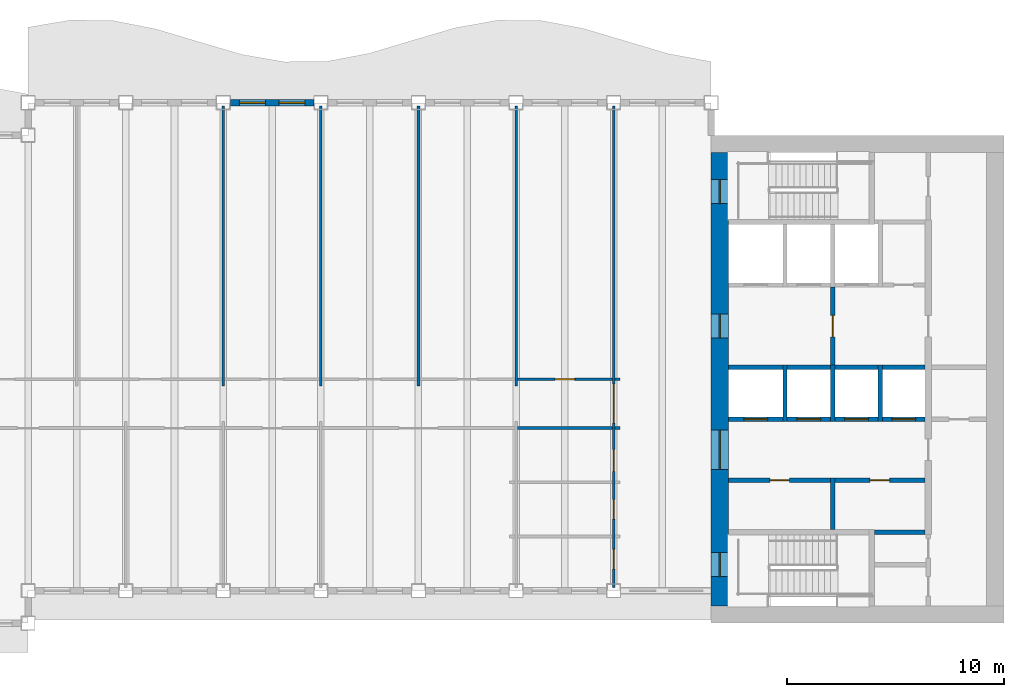
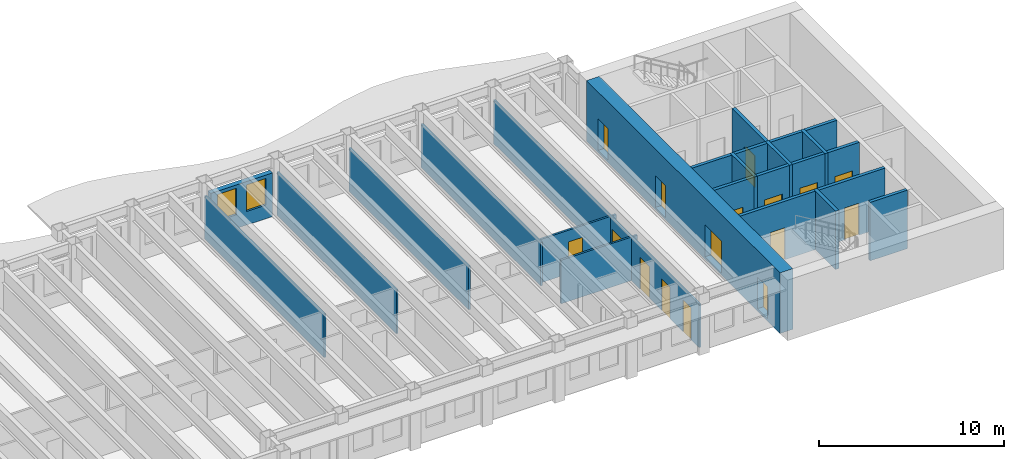
# One storey, part 5 of 12: 27 walls, 16 doors, 2 windows, 18 openings.
"""IFC4 building model written with IfcOpenShell, lengths in metres."""

from ifc_helpers import new_model, si_unit, direction, frame, frame_2d, origin, place, context, subcontext, project, spatial, rectangle, extrude, material, layer, layer_set, type_object, element, fill, save


model = new_model("IFC4")

# Units and contexts
model_context = context("Model", 3, precision=1e-05, world=origin(), true_north=direction((0.0, 1.0)))
body_context = subcontext(model_context, "Body", "Model", "MODEL_VIEW")
ifc_project = project(units=[si_unit("LENGTHUNIT", "METRE"), si_unit("AREAUNIT", "SQUARE_METRE"), si_unit("VOLUMEUNIT", "CUBIC_METRE"), si_unit("PLANEANGLEUNIT", "RADIAN"), si_unit("MASSUNIT", "GRAM", prefix="KILO")], contexts=[model_context])

# Site, building, storey
site_placement = place(None, origin())
site = spatial("IfcSite", under=ifc_project, at=site_placement, CompositionType="ELEMENT")
building_placement = place(site_placement, origin())
building = spatial("IfcBuilding", under=site, at=building_placement, Name="Sennacour Bend Tower", CompositionType="ELEMENT")
storey_placement = place(building_placement, frame((0.0, 0.0, 257.0)))
storey = spatial("IfcBuildingStorey", under=building, at=storey_placement, Name="L59", CompositionType="ELEMENT", Elevation=257.0)

# Wall, openings, doors
ifc_material_1 = material(Name="Concrete C50/60", Category="concrete")
ifc_layer_1 = layer(ifc_material_1, 0.800048828125, Name="Concrete C50/60", Category="concrete")
ifc_layer_set_1 = layer_set([ifc_layer_1], Name="Concrete C50/60")
wall_type_1 = type_object("IfcWallType", Name="Core wall 800 C50/60", PredefinedType="SHEAR", material=ifc_layer_set_1)
wall_1_placement = place(storey_placement, frame((54.39990234375, 0.800048828125, -0.14990234375), z_axis=(0.0, 0.0, 1.0), x_axis=(0.0, 1.0, 0.0)))
wall_1 = element("IfcWall", 1, at=wall_1_placement, inside=storey, type_object=wall_type_1, Name="Core A wall L59 W", PredefinedType="SHEAR", context=body_context, shape_type="SweptSolid", body=[
    extrude(rectangle(XDim=20.89990234375, YDim=0.800048828125, at=frame_2d((10.449951171875, 0.0))), origin(), (0.0, 0.0, 1.0), 4.0),
])
opening_1_placement = place(wall_1_placement, frame((6.300048828125, 0.0, 0.14990234375)))
opening_1 = element("IfcOpeningElement", 2, at=opening_1_placement, cuts=wall_1, Name="Opening CD", PredefinedType="OPENING", context=body_context, shape_type="SweptSolid", body=[
    extrude(rectangle(XDim=1.800048828125, YDim=2.10009765625, at=frame_2d((0.89990234375, 1.050048828125))), frame((0.0, 0.41015625, 0.0), z_axis=(0.0, -1.0, 0.0), x_axis=(1.0, 0.0, 0.0)), (0.0, 0.0, 1.0), 0.820068359375),
])
opening_2_placement = place(wall_1_placement, frame((12.35009765625, 0.0, 0.14990234375)))
opening_2 = element("IfcOpeningElement", 3, at=opening_2_placement, cuts=wall_1, Name="Opening FD", PredefinedType="OPENING", context=body_context, shape_type="SweptSolid", body=[
    extrude(rectangle(XDim=1.10009765625, YDim=2.10009765625, at=frame_2d((0.550048828125, 1.050048828125))), frame((0.0, 0.41015625, 0.0), z_axis=(0.0, -1.0, 0.0), x_axis=(1.0, 0.0, 0.0)), (0.0, 0.0, 1.0), 0.820068359375),
])
opening_3_placement = place(wall_1_placement, frame((1.35009765625, 0.0, 0.14990234375)))
opening_3 = element("IfcOpeningElement", 4, at=opening_3_placement, cuts=wall_1, Name="Opening SD", PredefinedType="OPENING", context=body_context, shape_type="SweptSolid", body=[
    extrude(rectangle(XDim=1.10009765625, YDim=2.10009765625, at=frame_2d((0.550048828125, 1.050048828125))), frame((0.0, 0.41015625, 0.0), z_axis=(0.0, -1.0, 0.0), x_axis=(1.0, 0.0, 0.0)), (0.0, 0.0, 1.0), 0.820068359375),
])
opening_4_placement = place(wall_1_placement, frame((18.550048828125, 0.0, 0.14990234375)))
opening_4 = element("IfcOpeningElement", 5, at=opening_4_placement, cuts=wall_1, Name="Opening SD", PredefinedType="OPENING", context=body_context, shape_type="SweptSolid", body=[
    extrude(rectangle(XDim=1.10009765625, YDim=2.10009765625, at=frame_2d((0.550048828125, 1.050048828125))), frame((0.0, 0.41015625, 0.0), z_axis=(0.0, -1.0, 0.0), x_axis=(1.0, 0.0, 0.0)), (0.0, 0.0, 1.0), 0.820068359375),
])
ifc_material_2 = material(Name="Painted steel", Category="steel")
door_type_1 = type_object("IfcDoorType", Name="DR-FFL-1100", OperationType="NOTDEFINED", PredefinedType="DOOR", material=ifc_material_2)
door_1_placement = place(opening_2_placement, origin())
door_1 = element("IfcDoor", 6, at=door_1_placement, inside=storey, type_object=door_type_1, Name="Door", OperationType="SINGLE_SWING_RIGHT", OverallHeight=2.10009765625, OverallWidth=1.10009765625, PredefinedType="DOOR", context=body_context, shape_type="SweptSolid", body=[
    extrude(rectangle(XDim=1.10009765625, YDim=2.10009765625, at=frame_2d((0.550048828125, 1.050048828125))), frame((0.0, 0.02490234375, 0.0), z_axis=(0.0, -1.0, 0.0), x_axis=(1.0, 0.0, 0.0)), (0.0, 0.0, 1.0), 0.050048828125),
])
fill(opening_2, door_1)
door_type_2 = type_object("IfcDoorType", Name="DR-LOBBY-1800", OperationType="NOTDEFINED", PredefinedType="DOOR", material=ifc_material_2)
door_2_placement = place(opening_1_placement, origin())
door_2 = element("IfcDoor", 7, at=door_2_placement, inside=storey, type_object=door_type_2, Name="Door", OperationType="DOUBLE_DOOR_SINGLE_SWING", OverallHeight=2.10009765625, OverallWidth=1.800048828125, PredefinedType="DOOR", context=body_context, shape_type="SweptSolid", body=[
    extrude(rectangle(XDim=1.800048828125, YDim=2.10009765625, at=frame_2d((0.89990234375, 1.050048828125))), frame((0.0, 0.02490234375, 0.0), z_axis=(0.0, -1.0, 0.0), x_axis=(1.0, 0.0, 0.0)), (0.0, 0.0, 1.0), 0.050048828125),
])
fill(opening_1, door_2)
door_type_3 = type_object("IfcDoorType", Name="DR-STAIR-1100", OperationType="NOTDEFINED", PredefinedType="DOOR", material=ifc_material_2)
door_3_placement = place(opening_3_placement, origin())
door_3 = element("IfcDoor", 8, at=door_3_placement, inside=storey, type_object=door_type_3, Name="Door", OperationType="SINGLE_SWING_LEFT", OverallHeight=2.10009765625, OverallWidth=1.10009765625, PredefinedType="DOOR", context=body_context, shape_type="SweptSolid", body=[
    extrude(rectangle(XDim=1.10009765625, YDim=2.10009765625, at=frame_2d((0.550048828125, 1.050048828125))), frame((0.0, 0.02490234375, 0.0), z_axis=(0.0, -1.0, 0.0), x_axis=(1.0, 0.0, 0.0)), (0.0, 0.0, 1.0), 0.050048828125),
])
fill(opening_3, door_3)
door_4_placement = place(opening_4_placement, origin())
door_4 = element("IfcDoor", 9, at=door_4_placement, inside=storey, type_object=door_type_3, Name="Door", OperationType="SINGLE_SWING_RIGHT", OverallHeight=2.10009765625, OverallWidth=1.10009765625, PredefinedType="DOOR", context=body_context, shape_type="SweptSolid", body=[
    extrude(rectangle(XDim=1.10009765625, YDim=2.10009765625, at=frame_2d((0.550048828125, 1.050048828125))), frame((0.0, 0.02490234375, 0.0), z_axis=(0.0, -1.0, 0.0), x_axis=(1.0, 0.0, 0.0)), (0.0, 0.0, 1.0), 0.050048828125),
])
fill(opening_4, door_4)

# Walls
ifc_material_3 = material(Name="Plasterboard partition on steel studs", Category="steel")
ifc_layer_2 = layer(ifc_material_3, 0.1201171875, Name="Plasterboard partition on steel studs", Category="steel")
ifc_layer_set_2 = layer_set([ifc_layer_2], Name="Plasterboard partition on steel studs")
wall_type_2 = type_object("IfcWallType", Name="Partition 120", PredefinedType="PARTITIONING", material=ifc_layer_set_2)
for number, where, z_axis, x_axis, name in (
    (10, (31.5, 10.949951171875, 0.0), (0.0, 0.0, 1.0), (0.0, 1.0, 0.0), "P-L59-W011a"),
    (11, (36.0, 10.949951171875, 0.0), (0.0, 0.0, 1.0), (0.0, 1.0, 0.0), "P-L59-W013a"),
    (12, (40.5, 10.949951171875, 0.0), (0.0, 0.0, 1.0), (0.0, 1.0, 0.0), "P-L59-W014a"),
    (13, (45.0, 10.949951171875, 0.0), (0.0, 0.0, 1.0), (0.0, 1.0, 0.0), "P-L59-W016a"),
):
    element("IfcWall", number, at=place(storey_placement, frame(where, z_axis=z_axis, x_axis=x_axis)), inside=storey, type_object=wall_type_2, Name=name, PredefinedType="PARTITIONING", context=body_context, shape_type="SweptSolid", body=[
        extrude(rectangle(XDim=12.900146484375, YDim=0.1201171875, at=frame_2d((6.4501953125, 0.0))), origin(), (0.0, 0.0, 1.0), 2.8701171875),
    ])
wall_2_placement = place(storey_placement, frame((45.06005859375, 9.0, 0.0), z_axis=(0.0, 0.0, 1.0), x_axis=(1.0, 0.0, 0.0)))
element("IfcWall", 14, at=wall_2_placement, inside=storey, type_object=wall_type_2, Name="P-L59-W043ag", PredefinedType="PARTITIONING", context=body_context, shape_type="SweptSolid", body=[
    extrude(rectangle(XDim=4.3798828125, YDim=0.1201171875, at=frame_2d((2.18994140625, 0.0))), origin(), (0.0, 0.0, 1.0), 2.8701171875),
])
for number, where, z_axis, x_axis, name in (
    (15, (49.56005859375, 9.0, 0.0), (0.0, 0.0, 1.0), (1.0, 0.0, 0.0), "P-L59-W043ah"),
    (16, (49.56005859375, 11.25, 0.0), (0.0, 0.0, 1.0), (1.0, 0.0, 0.0), "P-L59-W046ah"),
):
    element("IfcWall", number, at=place(storey_placement, frame(where, z_axis=z_axis, x_axis=x_axis)), inside=storey, type_object=wall_type_2, Name=name, PredefinedType="PARTITIONING", context=body_context, shape_type="SweptSolid", body=[
        extrude(rectangle(XDim=0.239990234375, YDim=0.1201171875, at=frame_2d((0.1201171875, 0.0))), origin(), (0.0, 0.0, 1.0), 2.8701171875),
    ])

# Wall, openings, doors
ifc_layer_3 = layer(ifc_material_3, 0.1201171875, Name="Plasterboard partition on steel studs", Category="steel")
ifc_layer_set_3 = layer_set([ifc_layer_3], Name="Plasterboard partition on steel studs")
wall_type_3 = type_object("IfcWallType", Name="Partition 120 EI 30", PredefinedType="PARTITIONING", material=ifc_layer_set_3)
wall_3_placement = place(storey_placement, frame((49.5, 1.64990234375, 0.0), z_axis=(0.0, 0.0, 1.0), x_axis=(0.0, 1.0, 0.0)))
wall_3 = element("IfcWall", 17, at=wall_3_placement, inside=storey, type_object=wall_type_3, Name="P-L59-W017a", PredefinedType="PARTITIONING", context=body_context, shape_type="SweptSolid", body=[
    extrude(rectangle(XDim=22.2001953125, YDim=0.1201171875, at=frame_2d((11.10009765625, 0.0))), origin(), (0.0, 0.0, 1.0), 2.8701171875),
])
opening_5_placement = place(wall_3_placement, frame((7.5751953125, 0.0, 0.0)))
opening_5 = element("IfcOpeningElement", 18, at=opening_5_placement, cuts=wall_3, Name="Opening KD3", PredefinedType="OPENING", context=body_context, shape_type="SweptSolid", body=[
    extrude(rectangle(XDim=1.800048828125, YDim=2.10009765625, at=frame_2d((0.89990234375, 1.050048828125))), frame((0.0, 0.070068359375, 0.0), z_axis=(0.0, -1.0, 0.0), x_axis=(1.0, 0.0, 0.0)), (0.0, 0.0, 1.0), 0.14013671875),
])
opening_6_placement = place(wall_3_placement, frame((0.85009765625, 0.0, 0.0)))
opening_6 = element("IfcOpeningElement", 19, at=opening_6_placement, cuts=wall_3, Name="Opening WD", PredefinedType="OPENING", context=body_context, shape_type="SweptSolid", body=[
    extrude(rectangle(XDim=0.89990234375, YDim=2.10009765625, at=frame_2d((0.449951171875, 1.050048828125))), frame((0.0, 0.070068359375, 0.0), z_axis=(0.0, -1.0, 0.0), x_axis=(1.0, 0.0, 0.0)), (0.0, 0.0, 1.0), 0.14013671875),
])
opening_7_placement = place(wall_3_placement, frame((3.150146484375, 0.0, 0.0)))
opening_7 = element("IfcOpeningElement", 20, at=opening_7_placement, cuts=wall_3, Name="Opening WD", PredefinedType="OPENING", context=body_context, shape_type="SweptSolid", body=[
    extrude(rectangle(XDim=0.89990234375, YDim=2.10009765625, at=frame_2d((0.449951171875, 1.050048828125))), frame((0.0, 0.070068359375, 0.0), z_axis=(0.0, -1.0, 0.0), x_axis=(1.0, 0.0, 0.0)), (0.0, 0.0, 1.0), 0.14013671875),
])
opening_8_placement = place(wall_3_placement, frame((5.35009765625, 0.0, 0.0)))
opening_8 = element("IfcOpeningElement", 21, at=opening_8_placement, cuts=wall_3, Name="Opening AD", PredefinedType="OPENING", context=body_context, shape_type="SweptSolid", body=[
    extrude(rectangle(XDim=1.0, YDim=2.10009765625, at=frame_2d((0.5, 1.050048828125))), frame((0.0, 0.070068359375, 0.0), z_axis=(0.0, -1.0, 0.0), x_axis=(1.0, 0.0, 0.0)), (0.0, 0.0, 1.0), 0.14013671875),
])
ifc_material_4 = material(Name="Timber", Category="wood")
door_type_4 = type_object("IfcDoorType", Name="DR-ACC-WC-1000", OperationType="NOTDEFINED", PredefinedType="DOOR", material=ifc_material_4)
door_5_placement = place(opening_8_placement, origin())
door_5 = element("IfcDoor", 22, at=door_5_placement, inside=storey, type_object=door_type_4, Name="Door", OperationType="SINGLE_SWING_LEFT", OverallHeight=2.10009765625, OverallWidth=1.0, PredefinedType="DOOR", context=body_context, shape_type="SweptSolid", body=[
    extrude(rectangle(XDim=1.0, YDim=2.10009765625, at=frame_2d((0.5, 1.050048828125))), frame((0.0, 0.02490234375, 0.0), z_axis=(0.0, -1.0, 0.0), x_axis=(1.0, 0.0, 0.0)), (0.0, 0.0, 1.0), 0.050048828125),
])
fill(opening_8, door_5)
door_type_5 = type_object("IfcDoorType", Name="DR-CORRIDOR-1800", OperationType="NOTDEFINED", PredefinedType="DOOR", material=ifc_material_2)
door_6_placement = place(opening_5_placement, origin())
door_6 = element("IfcDoor", 23, at=door_6_placement, inside=storey, type_object=door_type_5, Name="Door", OperationType="DOUBLE_DOOR_SINGLE_SWING", OverallHeight=2.10009765625, OverallWidth=1.800048828125, PredefinedType="DOOR", context=body_context, shape_type="SweptSolid", body=[
    extrude(rectangle(XDim=1.800048828125, YDim=2.10009765625, at=frame_2d((0.89990234375, 1.050048828125))), frame((0.0, 0.02490234375, 0.0), z_axis=(0.0, -1.0, 0.0), x_axis=(1.0, 0.0, 0.0)), (0.0, 0.0, 1.0), 0.050048828125),
])
fill(opening_5, door_6)
door_type_6 = type_object("IfcDoorType", Name="DR-WC-900", OperationType="NOTDEFINED", PredefinedType="DOOR", material=ifc_material_4)
door_7_placement = place(opening_6_placement, origin())
door_7 = element("IfcDoor", 24, at=door_7_placement, inside=storey, type_object=door_type_6, Name="Door", OperationType="SINGLE_SWING_LEFT", OverallHeight=2.10009765625, OverallWidth=0.89990234375, PredefinedType="DOOR", context=body_context, shape_type="SweptSolid", body=[
    extrude(rectangle(XDim=0.89990234375, YDim=2.10009765625, at=frame_2d((0.449951171875, 1.050048828125))), frame((0.0, 0.02490234375, 0.0), z_axis=(0.0, -1.0, 0.0), x_axis=(1.0, 0.0, 0.0)), (0.0, 0.0, 1.0), 0.050048828125),
])
fill(opening_6, door_7)
door_8_placement = place(opening_7_placement, origin())
door_8 = element("IfcDoor", 25, at=door_8_placement, inside=storey, type_object=door_type_6, Name="Door", OperationType="SINGLE_SWING_LEFT", OverallHeight=2.10009765625, OverallWidth=0.89990234375, PredefinedType="DOOR", context=body_context, shape_type="SweptSolid", body=[
    extrude(rectangle(XDim=0.89990234375, YDim=2.10009765625, at=frame_2d((0.449951171875, 1.050048828125))), frame((0.0, 0.02490234375, 0.0), z_axis=(0.0, -1.0, 0.0), x_axis=(1.0, 0.0, 0.0)), (0.0, 0.0, 1.0), 0.050048828125),
])
fill(opening_7, door_8)

# Wall, opening, door
ifc_layer_4 = layer(ifc_material_3, 0.1201171875, Name="Plasterboard partition on steel studs", Category="steel")
ifc_layer_set_4 = layer_set([ifc_layer_4], Name="Plasterboard partition on steel studs")
wall_type_4 = type_object("IfcWallType", Name="Partition 120 EI 60", PredefinedType="PARTITIONING", material=ifc_layer_set_4)
wall_4_placement = place(storey_placement, frame((45.06005859375, 11.25, 0.0), z_axis=(0.0, 0.0, 1.0), x_axis=(1.0, 0.0, 0.0)))
wall_4 = element("IfcWall", 26, at=wall_4_placement, inside=storey, type_object=wall_type_4, Name="P-L59-W046ag", PredefinedType="PARTITIONING", context=body_context, shape_type="SweptSolid", body=[
    extrude(rectangle(XDim=4.3798828125, YDim=0.1201171875, at=frame_2d((2.18994140625, 0.0))), origin(), (0.0, 0.0, 1.0), 2.8701171875),
])
opening_9_placement = place(wall_4_placement, frame((1.739990234375, 0.0, 0.0)))
opening_9 = element("IfcOpeningElement", 27, at=opening_9_placement, cuts=wall_4, Name="Opening SV", PredefinedType="OPENING", context=body_context, shape_type="SweptSolid", body=[
    extrude(rectangle(XDim=0.89990234375, YDim=2.10009765625, at=frame_2d((0.449951171875, 1.050048828125))), frame((0.0, 0.070068359375, 0.0), z_axis=(0.0, -1.0, 0.0), x_axis=(1.0, 0.0, 0.0)), (0.0, 0.0, 1.0), 0.14013671875),
])
door_type_7 = type_object("IfcDoorType", Name="DR-SERVICE-900", OperationType="NOTDEFINED", PredefinedType="DOOR", material=ifc_material_2)
door_9_placement = place(opening_9_placement, origin())
door_9 = element("IfcDoor", 28, at=door_9_placement, inside=storey, type_object=door_type_7, Name="Door", OperationType="SINGLE_SWING_LEFT", OverallHeight=2.10009765625, OverallWidth=0.89990234375, PredefinedType="DOOR", context=body_context, shape_type="SweptSolid", body=[
    extrude(rectangle(XDim=0.89990234375, YDim=2.10009765625, at=frame_2d((0.449951171875, 1.050048828125))), frame((0.0, 0.02490234375, 0.0), z_axis=(0.0, -1.0, 0.0), x_axis=(1.0, 0.0, 0.0)), (0.0, 0.0, 1.0), 0.050048828125),
])
fill(opening_9, door_9)

# Walls
ifc_material_5 = material(Name="Fire-rated plasterboard partition on steel studs", Category="steel")
ifc_layer_5 = layer(ifc_material_5, 0.199951171875, Name="Fire-rated plasterboard partition on steel studs", Category="steel")
ifc_layer_set_5 = layer_set([ifc_layer_5], Name="Fire-rated plasterboard partition on steel studs")
wall_type_5 = type_object("IfcWallType", Name="Rated partition 200", PredefinedType="PARTITIONING", material=ifc_layer_set_5)
wall_5_placement = place(storey_placement, frame((59.60009765625, 4.324951171875, 0.0), z_axis=(0.0, 0.0, 1.0), x_axis=(0.0, 1.0, 0.0)))
element("IfcWall", 29, at=wall_5_placement, inside=storey, type_object=wall_type_5, Name="P-L59-W021", PredefinedType="PARTITIONING", context=body_context, shape_type="SweptSolid", body=[
    extrude(rectangle(XDim=2.375, YDim=0.199951171875, at=frame_2d((1.1875, 0.0))), origin(), (0.0, 0.0, 1.0), 3.85009765625),
])
wall_6_placement = place(storey_placement, frame((61.52490234375, 4.199951171875, 0.0), z_axis=(0.0, 0.0, 1.0), x_axis=(1.0, 0.0, 0.0)))
element("IfcWall", 30, at=wall_6_placement, inside=storey, type_object=wall_type_5, Name="P-L59-W040", PredefinedType="PARTITIONING", context=body_context, shape_type="SweptSolid", body=[
    extrude(rectangle(XDim=2.3251953125, YDim=0.199951171875, at=frame_2d((1.16259765625, 0.0))), origin(), (0.0, 0.0, 1.0), 3.85009765625),
])

# Wall, opening, door
wall_7_placement = place(storey_placement, frame((54.800048828125, 6.60009765625, 0.0), z_axis=(0.0, 0.0, 1.0), x_axis=(1.0, 0.0, 0.0)))
wall_7 = element("IfcWall", 31, at=wall_7_placement, inside=storey, type_object=wall_type_5, Name="P-L59-W042a", PredefinedType="PARTITIONING", context=body_context, shape_type="SweptSolid", body=[
    extrude(rectangle(XDim=4.699951171875, YDim=0.199951171875, at=frame_2d((2.35009765625, 0.0))), origin(), (0.0, 0.0, 1.0), 3.85009765625),
])
opening_10_placement = place(wall_7_placement, frame((1.89990234375, 0.0, 0.0)))
opening_10 = element("IfcOpeningElement", 32, at=opening_10_placement, cuts=wall_7, Name="Opening SV", PredefinedType="OPENING", context=body_context, shape_type="SweptSolid", body=[
    extrude(rectangle(XDim=0.89990234375, YDim=2.10009765625, at=frame_2d((0.449951171875, 1.050048828125))), frame((0.0, 0.10986328125, 0.0), z_axis=(0.0, -1.0, 0.0), x_axis=(1.0, 0.0, 0.0)), (0.0, 0.0, 1.0), 0.219970703125),
])
door_10_placement = place(opening_10_placement, origin())
door_10 = element("IfcDoor", 33, at=door_10_placement, inside=storey, type_object=door_type_7, Name="Door", OperationType="SINGLE_SWING_LEFT", OverallHeight=2.10009765625, OverallWidth=0.89990234375, PredefinedType="DOOR", context=body_context, shape_type="SweptSolid", body=[
    extrude(rectangle(XDim=0.89990234375, YDim=2.10009765625, at=frame_2d((0.449951171875, 1.050048828125))), frame((0.0, 0.02490234375, 0.0), z_axis=(0.0, -1.0, 0.0), x_axis=(1.0, 0.0, 0.0)), (0.0, 0.0, 1.0), 0.050048828125),
])
fill(opening_10, door_10)

wall_8_placement = place(storey_placement, frame((59.699951171875, 6.60009765625, 0.0), z_axis=(0.0, 0.0, 1.0), x_axis=(1.0, 0.0, 0.0)))
wall_8 = element("IfcWall", 34, at=wall_8_placement, inside=storey, type_object=wall_type_5, Name="P-L59-W042b", PredefinedType="PARTITIONING", context=body_context, shape_type="SweptSolid", body=[
    extrude(rectangle(XDim=4.150146484375, YDim=0.199951171875, at=frame_2d((2.0751953125, 0.0))), origin(), (0.0, 0.0, 1.0), 3.85009765625),
])
opening_11_placement = place(wall_8_placement, frame((1.625, 0.0, 0.0)))
opening_11 = element("IfcOpeningElement", 35, at=opening_11_placement, cuts=wall_8, Name="Opening SV", PredefinedType="OPENING", context=body_context, shape_type="SweptSolid", body=[
    extrude(rectangle(XDim=0.89990234375, YDim=2.10009765625, at=frame_2d((0.449951171875, 1.050048828125))), frame((0.0, 0.10986328125, 0.0), z_axis=(0.0, -1.0, 0.0), x_axis=(1.0, 0.0, 0.0)), (0.0, 0.0, 1.0), 0.219970703125),
])
door_11_placement = place(opening_11_placement, origin())
door_11 = element("IfcDoor", 36, at=door_11_placement, inside=storey, type_object=door_type_7, Name="Door", OperationType="SINGLE_SWING_LEFT", OverallHeight=2.10009765625, OverallWidth=0.89990234375, PredefinedType="DOOR", context=body_context, shape_type="SweptSolid", body=[
    extrude(rectangle(XDim=0.89990234375, YDim=2.10009765625, at=frame_2d((0.449951171875, 1.050048828125))), frame((0.0, 0.02490234375, 0.0), z_axis=(0.0, -1.0, 0.0), x_axis=(1.0, 0.0, 0.0)), (0.0, 0.0, 1.0), 0.050048828125),
])
fill(opening_11, door_11)

ifc_layer_6 = layer(ifc_material_5, 0.199951171875, Name="Fire-rated plasterboard partition on steel studs", Category="steel")
ifc_layer_set_6 = layer_set([ifc_layer_6], Name="Fire-rated plasterboard partition on steel studs")
wall_type_6 = type_object("IfcWallType", Name="Rated partition 200 EI 90", PredefinedType="PARTITIONING", material=ifc_layer_set_6)
wall_9_placement = place(storey_placement, frame((59.60009765625, 11.89990234375, 0.0), z_axis=(0.0, 0.0, 1.0), x_axis=(0.0, 1.0, 0.0)))
wall_9 = element("IfcWall", 37, at=wall_9_placement, inside=storey, type_object=wall_type_6, Name="P-L59-W023", PredefinedType="PARTITIONING", context=body_context, shape_type="SweptSolid", body=[
    extrude(rectangle(XDim=3.60009765625, YDim=0.199951171875, at=frame_2d((1.800048828125, 0.0))), origin(), (0.0, 0.0, 1.0), 3.85009765625),
])
opening_12_placement = place(wall_9_placement, frame((1.300048828125, 0.0, 0.0)))
opening_12 = element("IfcOpeningElement", 38, at=opening_12_placement, cuts=wall_9, Name="Opening FD2", PredefinedType="OPENING", context=body_context, shape_type="SweptSolid", body=[
    extrude(rectangle(XDim=1.0, YDim=2.10009765625, at=frame_2d((0.5, 1.050048828125))), frame((0.0, 0.10986328125, 0.0), z_axis=(0.0, -1.0, 0.0), x_axis=(1.0, 0.0, 0.0)), (0.0, 0.0, 1.0), 0.219970703125),
])
door_type_8 = type_object("IfcDoorType", Name="DR-FFL-1000", OperationType="NOTDEFINED", PredefinedType="DOOR", material=ifc_material_2)
door_12_placement = place(opening_12_placement, origin())
door_12 = element("IfcDoor", 39, at=door_12_placement, inside=storey, type_object=door_type_8, Name="Door", OperationType="SINGLE_SWING_LEFT", OverallHeight=2.10009765625, OverallWidth=1.0, PredefinedType="DOOR", context=body_context, shape_type="SweptSolid", body=[
    extrude(rectangle(XDim=1.0, YDim=2.10009765625, at=frame_2d((0.5, 1.050048828125))), frame((0.0, 0.02490234375, 0.0), z_axis=(0.0, -1.0, 0.0), x_axis=(1.0, 0.0, 0.0)), (0.0, 0.0, 1.0), 0.050048828125),
])
fill(opening_12, door_12)

# Wall, openings, windows
ifc_material_6 = material(Name="Warm limestone cladding", Category="masonry")
ifc_layer_7 = layer(ifc_material_6, 0.050048828125, Name="Warm limestone cladding", Category="masonry")
ifc_material_7 = material(Name="Precast concrete C40/50", Category="concrete")
ifc_layer_8 = layer(ifc_material_7, 0.25, Name="Precast concrete C40/50", Category="concrete")
ifc_layer_set_7 = layer_set([ifc_layer_7, ifc_layer_8], Name="Precast concrete C40/50 with limestone cladding")
wall_type_7 = type_object("IfcWallType", Name="STONE-CLAD PRECAST SPANDREL 300", PredefinedType="STANDARD", material=ifc_layer_set_7)
wall_10_placement = place(storey_placement, frame((35.675048828125, 24.0, 0.0), z_axis=(0.0, 0.0, 1.0), x_axis=(-1.0, 0.0, 0.0)))
wall_10 = element("IfcWall", 40, at=wall_10_placement, inside=storey, type_object=wall_type_7, Name="Stone spandrel and pier wall L59 07.04", PredefinedType="STANDARD", context=body_context, shape_type="SweptSolid", body=[
    extrude(rectangle(XDim=3.85009765625, YDim=0.300048828125, at=frame_2d((1.925048828125, 0.0))), origin(), (0.0, 0.0, 1.0), 2.8701171875),
])
opening_13_placement = place(wall_10_placement, frame((0.41259765625, 0.0, 0.89990234375)))
opening_13 = element("IfcOpeningElement", 41, at=opening_13_placement, cuts=wall_10, Name="Opening W16", PredefinedType="OPENING", context=body_context, shape_type="SweptSolid", body=[
    extrude(rectangle(XDim=1.199951171875, YDim=1.75, at=frame_2d((0.60009765625, 0.875))), frame((0.0, 0.16015625, 0.0), z_axis=(0.0, -1.0, 0.0), x_axis=(1.0, 0.0, 0.0)), (0.0, 0.0, 1.0), 0.320068359375),
])
opening_14_placement = place(wall_10_placement, frame((2.237548828125, 0.0, 0.89990234375)))
opening_14 = element("IfcOpeningElement", 42, at=opening_14_placement, cuts=wall_10, Name="Opening W16", PredefinedType="OPENING", context=body_context, shape_type="SweptSolid", body=[
    extrude(rectangle(XDim=1.199951171875, YDim=1.75, at=frame_2d((0.60009765625, 0.875))), frame((0.0, 0.16015625, 0.0), z_axis=(0.0, -1.0, 0.0), x_axis=(1.0, 0.0, 0.0)), (0.0, 0.0, 1.0), 0.320068359375),
])
ifc_material_8 = material(Name="Clear low-emissivity glass", Category="glass")
window_type = type_object("IfcWindowType", Name="WIN-RIBBON-1200x1750", PartitioningType="SINGLE_PANEL", PredefinedType="WINDOW", material=ifc_material_8)
window_1_placement = place(opening_13_placement, origin())
window_1 = element("IfcWindow", 43, at=window_1_placement, inside=storey, type_object=window_type, Name="Ribbon window L59 07.04.0", OverallHeight=1.75, OverallWidth=1.199951171875, PartitioningType="SINGLE_PANEL", PredefinedType="WINDOW", context=body_context, shape_type="SweptSolid", body=[
    extrude(rectangle(XDim=1.199951171875, YDim=1.75, at=frame_2d((0.60009765625, 0.875))), frame((0.0, 0.030029296875, 0.0), z_axis=(0.0, -1.0, 0.0), x_axis=(1.0, 0.0, 0.0)), (0.0, 0.0, 1.0), 0.06005859375),
])
fill(opening_13, window_1)
window_2_placement = place(opening_14_placement, origin())
window_2 = element("IfcWindow", 44, at=window_2_placement, inside=storey, type_object=window_type, Name="Ribbon window L59 07.04.1", OverallHeight=1.75, OverallWidth=1.199951171875, PartitioningType="SINGLE_PANEL", PredefinedType="WINDOW", context=body_context, shape_type="SweptSolid", body=[
    extrude(rectangle(XDim=1.199951171875, YDim=1.75, at=frame_2d((0.60009765625, 0.875))), frame((0.0, 0.030029296875, 0.0), z_axis=(0.0, -1.0, 0.0), x_axis=(1.0, 0.0, 0.0)), (0.0, 0.0, 1.0), 0.06005859375),
])
fill(opening_14, window_2)

# Walls
ifc_layer_9 = layer(ifc_material_1, 0.199951171875, Name="Concrete C50/60", Category="concrete")
ifc_layer_set_8 = layer_set([ifc_layer_9], Name="Concrete C50/60")
wall_type_8 = type_object("IfcWallType", Name="Shaft wall 200", PredefinedType="SOLIDWALL", material=ifc_layer_set_8)
for number, where, z_axis, x_axis, name in (
    (45, (57.39990234375, 9.300048828125, 0.0), (0.0, 0.0, 1.0), (0.0, 1.0, 0.0), "P-L59-W019"),
    (46, (59.60009765625, 9.300048828125, 0.0), (0.0, 0.0, 1.0), (0.0, 1.0, 0.0), "P-L59-W022"),
    (47, (61.800048828125, 9.300048828125, 0.0), (0.0, 0.0, 1.0), (0.0, 1.0, 0.0), "P-L59-W027"),
):
    element("IfcWall", number, at=place(storey_placement, frame(where, z_axis=z_axis, x_axis=x_axis)), inside=storey, type_object=wall_type_8, Name=name, PredefinedType="SOLIDWALL", context=body_context, shape_type="SweptSolid", body=[
        extrude(rectangle(XDim=2.599853515625, YDim=0.199951171875, at=frame_2d((1.2998046875, 0.0))), origin(), (0.0, 0.0, 1.0), 3.85009765625),
    ])

# Wall, opening, door
wall_11_placement = place(storey_placement, frame((54.800048828125, 9.39990234375, 0.0), z_axis=(0.0, 0.0, 1.0), x_axis=(1.0, 0.0, 0.0)))
wall_11 = element("IfcWall", 48, at=wall_11_placement, inside=storey, type_object=wall_type_8, Name="P-L59-W044a", PredefinedType="SOLIDWALL", context=body_context, shape_type="SweptSolid", body=[
    extrude(rectangle(XDim=2.5, YDim=0.199951171875, at=frame_2d((1.25, 0.0))), origin(), (0.0, 0.0, 1.0), 3.85009765625),
])
opening_15_placement = place(wall_11_placement, frame((0.699951171875, 0.0, 0.011962890625)))
opening_15 = element("IfcOpeningElement", 49, at=opening_15_placement, cuts=wall_11, Name="Opening LD", PredefinedType="OPENING", context=body_context, shape_type="SweptSolid", body=[
    extrude(rectangle(XDim=1.10009765625, YDim=2.10009765625, at=frame_2d((0.550048828125, 1.050048828125))), frame((0.0, 0.10986328125, 0.0), z_axis=(0.0, -1.0, 0.0), x_axis=(1.0, 0.0, 0.0)), (0.0, 0.0, 1.0), 0.219970703125),
])
ifc_material_9 = material(Name="Stainless steel", Category="steel")
door_type_9 = type_object("IfcDoorType", Name="DR-LANDING-1100", OperationType="NOTDEFINED", PredefinedType="DOOR", material=ifc_material_9)
door_13_placement = place(opening_15_placement, origin())
door_13 = element("IfcDoor", 50, at=door_13_placement, inside=storey, type_object=door_type_9, Name="Lift landing door HA1", OperationType="SLIDING_TO_LEFT", OverallHeight=2.10009765625, OverallWidth=1.10009765625, PredefinedType="DOOR", context=body_context, shape_type="SweptSolid", body=[
    extrude(rectangle(XDim=1.10009765625, YDim=2.10009765625, at=frame_2d((0.550048828125, 1.050048828125))), frame((0.0, 0.02490234375, 0.0), z_axis=(0.0, -1.0, 0.0), x_axis=(1.0, 0.0, 0.0)), (0.0, 0.0, 1.0), 0.050048828125),
])
fill(opening_15, door_13)

wall_12_placement = place(storey_placement, frame((57.5, 9.39990234375, 0.0), z_axis=(0.0, 0.0, 1.0), x_axis=(1.0, 0.0, 0.0)))
wall_12 = element("IfcWall", 51, at=wall_12_placement, inside=storey, type_object=wall_type_8, Name="P-L59-W044b", PredefinedType="SOLIDWALL", context=body_context, shape_type="SweptSolid", body=[
    extrude(rectangle(XDim=2.0, YDim=0.199951171875, at=frame_2d((1.0, 0.0))), origin(), (0.0, 0.0, 1.0), 3.85009765625),
])
opening_16_placement = place(wall_12_placement, frame((0.449951171875, 0.0, 0.011962890625)))
opening_16 = element("IfcOpeningElement", 52, at=opening_16_placement, cuts=wall_12, Name="Opening LD", PredefinedType="OPENING", context=body_context, shape_type="SweptSolid", body=[
    extrude(rectangle(XDim=1.10009765625, YDim=2.10009765625, at=frame_2d((0.550048828125, 1.050048828125))), frame((0.0, 0.10986328125, 0.0), z_axis=(0.0, -1.0, 0.0), x_axis=(1.0, 0.0, 0.0)), (0.0, 0.0, 1.0), 0.219970703125),
])
door_14_placement = place(opening_16_placement, origin())
door_14 = element("IfcDoor", 53, at=door_14_placement, inside=storey, type_object=door_type_9, Name="Lift landing door HA2", OperationType="SLIDING_TO_RIGHT", OverallHeight=2.10009765625, OverallWidth=1.10009765625, PredefinedType="DOOR", context=body_context, shape_type="SweptSolid", body=[
    extrude(rectangle(XDim=1.10009765625, YDim=2.10009765625, at=frame_2d((0.550048828125, 1.050048828125))), frame((0.0, 0.02490234375, 0.0), z_axis=(0.0, -1.0, 0.0), x_axis=(1.0, 0.0, 0.0)), (0.0, 0.0, 1.0), 0.050048828125),
])
fill(opening_16, door_14)

wall_13_placement = place(storey_placement, frame((59.699951171875, 9.39990234375, 0.0), z_axis=(0.0, 0.0, 1.0), x_axis=(1.0, 0.0, 0.0)))
wall_13 = element("IfcWall", 54, at=wall_13_placement, inside=storey, type_object=wall_type_8, Name="P-L59-W044c", PredefinedType="SOLIDWALL", context=body_context, shape_type="SweptSolid", body=[
    extrude(rectangle(XDim=2.0, YDim=0.199951171875, at=frame_2d((1.0, 0.0))), origin(), (0.0, 0.0, 1.0), 3.85009765625),
])
opening_17_placement = place(wall_13_placement, frame((0.449951171875, 0.0, 0.011962890625)))
opening_17 = element("IfcOpeningElement", 55, at=opening_17_placement, cuts=wall_13, Name="Opening LD", PredefinedType="OPENING", context=body_context, shape_type="SweptSolid", body=[
    extrude(rectangle(XDim=1.10009765625, YDim=2.10009765625, at=frame_2d((0.550048828125, 1.050048828125))), frame((0.0, 0.10986328125, 0.0), z_axis=(0.0, -1.0, 0.0), x_axis=(1.0, 0.0, 0.0)), (0.0, 0.0, 1.0), 0.219970703125),
])
door_15_placement = place(opening_17_placement, origin())
door_15 = element("IfcDoor", 56, at=door_15_placement, inside=storey, type_object=door_type_9, Name="Lift landing door HA3", OperationType="SLIDING_TO_LEFT", OverallHeight=2.10009765625, OverallWidth=1.10009765625, PredefinedType="DOOR", context=body_context, shape_type="SweptSolid", body=[
    extrude(rectangle(XDim=1.10009765625, YDim=2.10009765625, at=frame_2d((0.550048828125, 1.050048828125))), frame((0.0, 0.02490234375, 0.0), z_axis=(0.0, -1.0, 0.0), x_axis=(1.0, 0.0, 0.0)), (0.0, 0.0, 1.0), 0.050048828125),
])
fill(opening_17, door_15)

wall_14_placement = place(storey_placement, frame((61.89990234375, 9.39990234375, 0.0), z_axis=(0.0, 0.0, 1.0), x_axis=(1.0, 0.0, 0.0)))
wall_14 = element("IfcWall", 57, at=wall_14_placement, inside=storey, type_object=wall_type_8, Name="P-L59-W044d", PredefinedType="SOLIDWALL", context=body_context, shape_type="SweptSolid", body=[
    extrude(rectangle(XDim=1.9501953125, YDim=0.199951171875, at=frame_2d((0.97509765625, 0.0))), origin(), (0.0, 0.0, 1.0), 3.85009765625),
])
opening_18_placement = place(wall_14_placement, frame((0.425048828125, 0.0, 0.011962890625)))
opening_18 = element("IfcOpeningElement", 58, at=opening_18_placement, cuts=wall_14, Name="Opening LD", PredefinedType="OPENING", context=body_context, shape_type="SweptSolid", body=[
    extrude(rectangle(XDim=1.10009765625, YDim=2.10009765625, at=frame_2d((0.550048828125, 1.050048828125))), frame((0.0, 0.10986328125, 0.0), z_axis=(0.0, -1.0, 0.0), x_axis=(1.0, 0.0, 0.0)), (0.0, 0.0, 1.0), 0.219970703125),
])
door_16_placement = place(opening_18_placement, origin())
door_16 = element("IfcDoor", 59, at=door_16_placement, inside=storey, type_object=door_type_9, Name="Lift landing door HA4", OperationType="SLIDING_TO_RIGHT", OverallHeight=2.10009765625, OverallWidth=1.10009765625, PredefinedType="DOOR", context=body_context, shape_type="SweptSolid", body=[
    extrude(rectangle(XDim=1.10009765625, YDim=2.10009765625, at=frame_2d((0.550048828125, 1.050048828125))), frame((0.0, 0.02490234375, 0.0), z_axis=(0.0, -1.0, 0.0), x_axis=(1.0, 0.0, 0.0)), (0.0, 0.0, 1.0), 0.050048828125),
])
fill(opening_18, door_16)

# Walls
wall_15_placement = place(storey_placement, frame((54.800048828125, 11.800048828125, 0.0), z_axis=(0.0, 0.0, 1.0), x_axis=(1.0, 0.0, 0.0)))
element("IfcWall", 60, at=wall_15_placement, inside=storey, type_object=wall_type_8, Name="P-L59-W047a", PredefinedType="SOLIDWALL", context=body_context, shape_type="SweptSolid", body=[
    extrude(rectangle(XDim=2.5, YDim=0.199951171875, at=frame_2d((1.25, 0.0))), origin(), (0.0, 0.0, 1.0), 3.85009765625),
])
for number, where, z_axis, x_axis, name in (
    (61, (57.5, 11.800048828125, 0.0), (0.0, 0.0, 1.0), (1.0, 0.0, 0.0), "P-L59-W047b"),
    (62, (59.699951171875, 11.800048828125, 0.0), (0.0, 0.0, 1.0), (1.0, 0.0, 0.0), "P-L59-W047c"),
):
    element("IfcWall", number, at=place(storey_placement, frame(where, z_axis=z_axis, x_axis=x_axis)), inside=storey, type_object=wall_type_8, Name=name, PredefinedType="SOLIDWALL", context=body_context, shape_type="SweptSolid", body=[
        extrude(rectangle(XDim=2.0, YDim=0.199951171875, at=frame_2d((1.0, 0.0))), origin(), (0.0, 0.0, 1.0), 3.85009765625),
    ])
wall_16_placement = place(storey_placement, frame((61.89990234375, 11.800048828125, 0.0), z_axis=(0.0, 0.0, 1.0), x_axis=(1.0, 0.0, 0.0)))
element("IfcWall", 63, at=wall_16_placement, inside=storey, type_object=wall_type_8, Name="P-L59-W047d", PredefinedType="SOLIDWALL", context=body_context, shape_type="SweptSolid", body=[
    extrude(rectangle(XDim=1.9501953125, YDim=0.199951171875, at=frame_2d((0.97509765625, 0.0))), origin(), (0.0, 0.0, 1.0), 3.85009765625),
])

save(model, "model.ifc")
